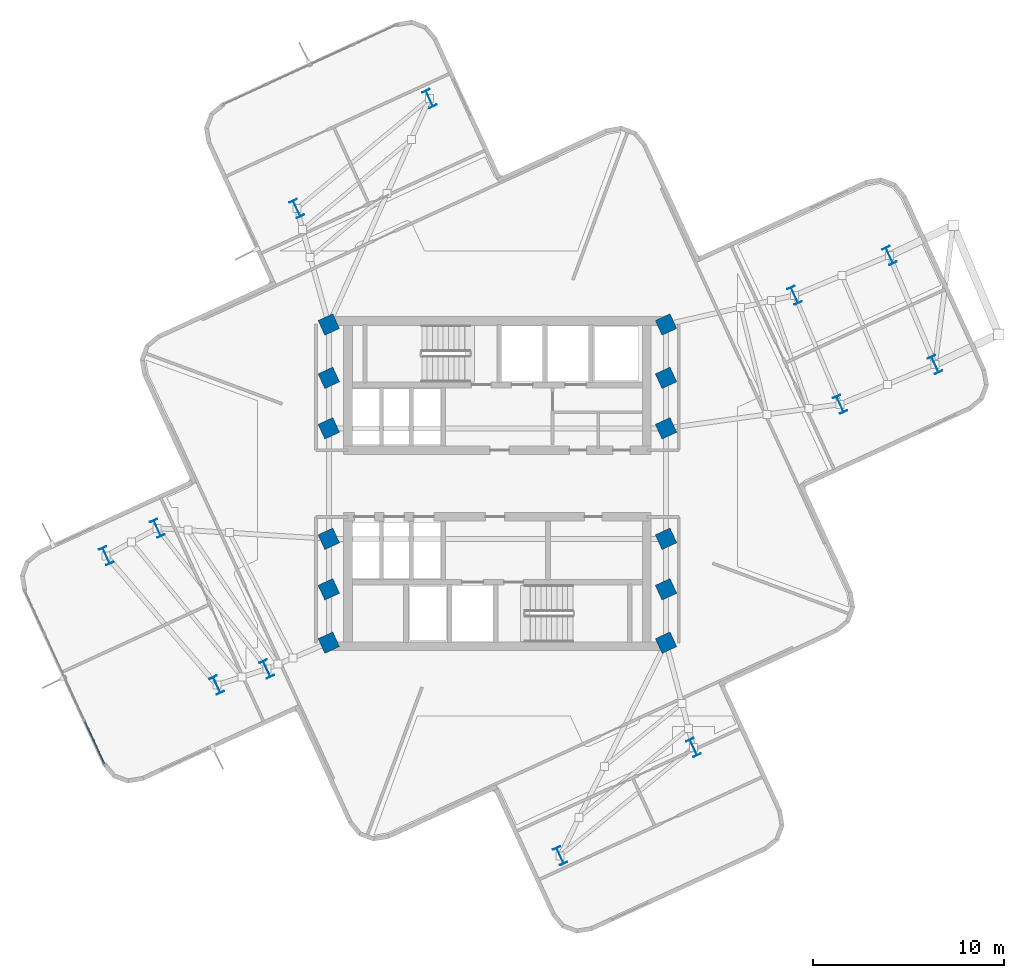
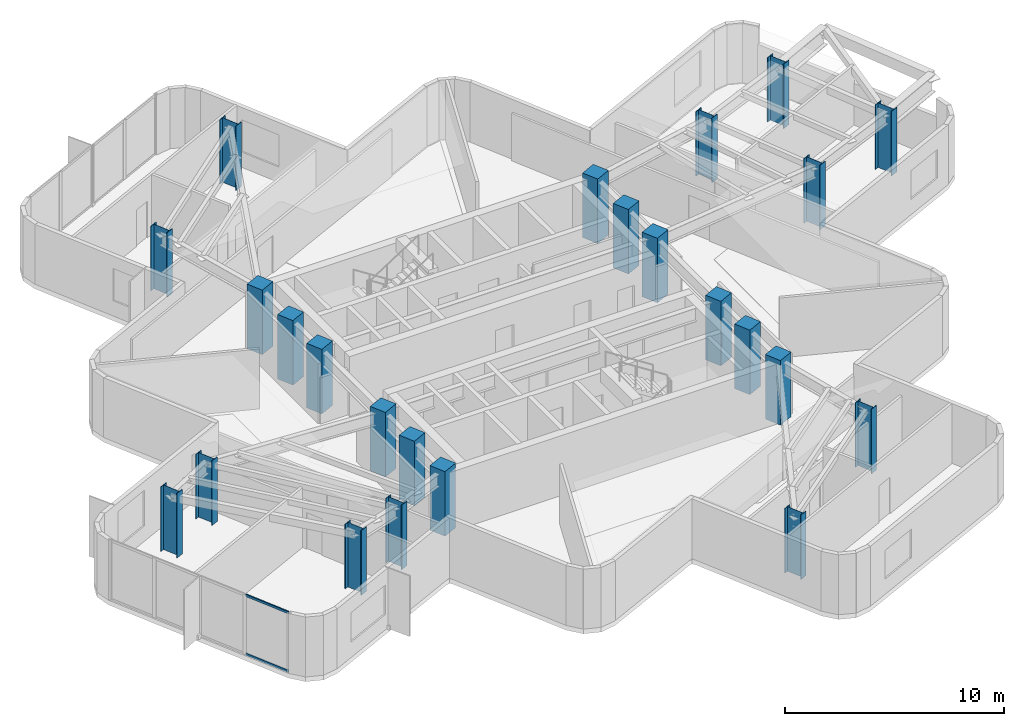
# One storey, part 1 of 11: 24 columns, 2 members, 1 element without a shape of its own.
"""IFC4 building model written with IfcOpenShell, lengths in metres."""

from ifc_helpers import new_model, si_unit, direction, frame, origin, origin_2d, place, context, subcontext, project, spatial, rectangle, i_section, extrude, material, layer, layer_set, material_profile, profile_set, type_object, element, aggregate, save


model = new_model("IFC4")

# Units and contexts
model_context = context("Model", 3, precision=1e-05, world=origin(), true_north=direction((0.0, 1.0)))
body_context = subcontext(model_context, "Body", "Model", "MODEL_VIEW")
ifc_project = project(units=[si_unit("LENGTHUNIT", "METRE"), si_unit("AREAUNIT", "SQUARE_METRE"), si_unit("VOLUMEUNIT", "CUBIC_METRE"), si_unit("PLANEANGLEUNIT", "RADIAN"), si_unit("MASSUNIT", "GRAM", prefix="KILO")], contexts=[model_context])

# Site, building, storey
site_placement = place(None, origin())
site = spatial("IfcSite", under=ifc_project, at=site_placement, CompositionType="ELEMENT")
building_placement = place(site_placement, origin())
building = spatial("IfcBuilding", under=site, at=building_placement, Name="Solmarez Civic Tower", CompositionType="ELEMENT")
storey_placement = place(building_placement, frame((0.0, 0.0, 184.679931640625)))
storey = spatial("IfcBuildingStorey", under=building, at=storey_placement, Name="L49", CompositionType="ELEMENT", Elevation=184.679931640625)

# Columns
ifc_material_1 = material(Name="Concrete C50/60", Category="concrete")
ifc_material_profile_1 = material_profile(ifc_material_1, rectangle(XDim=0.85009765625, YDim=0.85009765625, at=origin_2d()), Name="RC850X850")
ifc_profile_set_1 = profile_set([ifc_material_profile_1], Name="Concrete C50/60")
column_type_1 = type_object("IfcColumnType", Name="COL-RC850", PredefinedType="COLUMN", material=ifc_profile_set_1)
for number, where, z_axis, x_axis, name in (
    (1, (-8.85009765625, -5.550048828125, 0.0), (0.0, 0.0, 1.0), (0.9086539853, 0.41754991917, 0.0), "L49 Structural Column HC1"),
    (2, (-8.85009765625, -2.89990234375, 0.0), (0.0, 0.0, 1.0), (0.9086539853, 0.41754991917, 0.0), "L49 Structural Column HC2"),
    (3, (-8.85009765625, 2.89990234375, 0.0), (0.0, 0.0, 1.0), (0.9086539853, 0.41754991917, 0.0), "L49 Structural Column HC3"),
    (4, (-8.85009765625, 5.550048828125, 0.0), (0.0, 0.0, 1.0), (0.9086539853, 0.41754991917, 0.0), "L49 Structural Column HC4"),
    (5, (8.85009765625, -5.550048828125, 0.0), (0.0, 0.0, 1.0), (0.9086539853, 0.41754991917, 0.0), "L49 Structural Column HC5"),
    (6, (8.85009765625, -2.89990234375, 0.0), (0.0, 0.0, 1.0), (0.9086539853, 0.41754991917, 0.0), "L49 Structural Column HC6"),
    (7, (8.85009765625, 2.89990234375, 0.0), (0.0, 0.0, 1.0), (0.9086539853, 0.41754991917, 0.0), "L49 Structural Column HC7"),
    (8, (8.85009765625, 5.550048828125, 0.0), (0.0, 0.0, 1.0), (0.9086539853, 0.41754991917, 0.0), "L49 Structural Column HC8"),
    (9, (-8.85009765625, 8.35009765625, 0.0), (0.0, 0.0, 1.0), (0.9086539853, 0.41754991917, 0.0), "L49 Structural Column HC9"),
    (10, (8.85009765625, -8.35009765625, 0.0), (0.0, 0.0, 1.0), (0.9086539853, 0.41754991917, 0.0), "L49 Structural Column HC10"),
    (11, (8.85009765625, 8.35009765625, 0.0), (0.0, 0.0, 1.0), (0.9086539853, 0.41754991917, 0.0), "L49 Structural Column HC11"),
    (12, (-8.85009765625, -8.35009765625, 0.0), (0.0, 0.0, 1.0), (0.9086539853, 0.41754991917, 0.0), "L49 Structural Column HC12"),
):
    element("IfcColumn", number, at=place(storey_placement, frame(where, z_axis=z_axis, x_axis=x_axis)), inside=storey, type_object=column_type_1, Name=name, PredefinedType="COLUMN", context=body_context, shape_type="SweptSolid", body=[
        extrude(rectangle(XDim=0.85009765625, YDim=0.85009765625, at=origin_2d()), origin(), (0.0, 0.0, 1.0), 3.60009765625),
    ])
ifc_material_2 = material(Name="Steel S355", Category="steel")
ifc_material_profile_2 = material_profile(ifc_material_2, i_section(OverallWidth=0.41796875, OverallDepth=0.927001953125, WebThickness=0.019287109375, FlangeThickness=0.031982421875, at=origin_2d()), Name="W36X231")
ifc_profile_set_2 = profile_set([ifc_material_profile_2], Name="Steel S355")
column_type_2 = type_object("IfcColumnType", Name="COL-W36X231", PredefinedType="COLUMN", material=ifc_profile_set_2)
for number, where, z_axis, x_axis, name in (
    (13, (17.987060546875, 4.1640625, 0.0), (0.0, 0.0, 1.0), (0.9086539853, 0.41754991917, 0.0), "L49 Structural Column EA11"),
    (14, (15.593994140625, 9.883056640625, 0.0), (0.0, 0.0, 1.0), (0.9086539853, 0.41754991917, 0.0), "L49 Structural Column EA12"),
    (15, (22.968017578125, 6.248046875, 0.0), (0.0, 0.0, 1.0), (0.9086539853, 0.41754991917, 0.0), "L49 Structural Column EA21"),
    (16, (20.575927734375, 11.967041015625, 0.0), (0.0, 0.0, 1.0), (0.9086539853, 0.41754991917, 0.0), "L49 Structural Column EA22"),
    (17, (-3.570068359375, 20.20703125, 0.0), (0.0, 0.0, 1.0), (0.9086539853, 0.41754991917, 0.0), "L49 Structural Column NA11"),
    (18, (-10.532958984375, 14.43310546875, 0.0), (0.0, 0.0, 1.0), (0.9086539853, 0.41754991917, 0.0), "L49 Structural Column NA12"),
    (19, (-17.85791015625, -2.345947265625, 0.0), (0.0, 0.0, 1.0), (0.9086539853, 0.41754991917, 0.0), "L49 Structural Column WA11"),
    (20, (-12.10595703125, -9.73095703125, 0.0), (0.0, 0.0, 1.0), (0.9086539853, 0.41754991917, 0.0), "L49 Structural Column WA12"),
    (21, (-20.534912109375, -3.7880859375, 0.0), (0.0, 0.0, 1.0), (0.9086539853, 0.41754991917, 0.0), "L49 Structural Column WA21"),
    (22, (-14.73095703125, -10.572998046875, 0.0), (0.0, 0.0, 1.0), (0.9086539853, 0.41754991917, 0.0), "L49 Structural Column WA22"),
    (23, (3.2900390625, -19.535888671875, 0.0), (0.0, 0.0, 1.0), (0.9086539853, 0.41754991917, 0.0), "L49 Structural Column SA11"),
    (24, (10.2900390625, -13.85009765625, 0.0), (0.0, 0.0, 1.0), (0.9086539853, 0.41754991917, 0.0), "L49 Structural Column SA12"),
):
    element("IfcColumn", number, at=place(storey_placement, frame(where, z_axis=z_axis, x_axis=x_axis)), inside=storey, type_object=column_type_2, Name=name, PredefinedType="COLUMN", context=body_context, shape_type="SweptSolid", body=[
        extrude(i_section(OverallWidth=0.41796875, OverallDepth=0.927001953125, WebThickness=0.019287109375, FlangeThickness=0.031982421875, at=origin_2d()), origin(), (0.0, 0.0, 1.0), 3.60009765625),
    ])

# Curtain wall, members
ifc_material_3 = material(Name="Bronze Anodised Aluminium EN AW-6063 T6", Category="aluminium")
ifc_layer = layer(ifc_material_3, 0.2099609375)
ifc_layer_set = layer_set([ifc_layer], Name="Bronze Anodised Aluminium EN AW-6063 T6")
curtain_wall_type = type_object("IfcCurtainWallType", Name="CW-SYS-5", PredefinedType="NOTDEFINED", material=ifc_layer_set)
curtain_wall_placement = place(storey_placement, origin())
curtain_wall = element("IfcCurtainWall", 25, at=curtain_wall_placement, inside=storey, type_object=curtain_wall_type, Name="L49 Stick-Built Curtain Wall 1", PredefinedType="NOTDEFINED")
ifc_material_profile_3 = material_profile(ifc_material_3, rectangle(XDim=0.06494140625, YDim=0.125, at=origin_2d()), Name="CWT-65X125")
ifc_profile_set_3 = profile_set([ifc_material_profile_3], Name="Bronze Anodised Aluminium EN AW-6063 T6")
member_type = type_object("IfcMemberType", Name="CWT-TYPE-2", PredefinedType="USERDEFINED", material=ifc_profile_set_3)
member_1_placement = place(storey_placement, frame((-20.639404296875, -14.69580078125, 0.032470703125), z_axis=(-0.417421132012, 0.908713155264, 0.0), x_axis=(-0.908713155264, -0.417421132012, 0.0)))
member_1 = element("IfcMember", 26, at=member_1_placement, type_object=member_type, Name="CWS5 transom 1.1", ObjectType="TRANSOM", PredefinedType="USERDEFINED", context=body_context, shape_type="SweptSolid", body=[
    extrude(rectangle(XDim=0.06494140625, YDim=0.125, at=origin_2d()), origin(), (0.0, 0.0, 1.0), 2.41259765625),
])
member_2_placement = place(storey_placement, frame((-20.639404296875, -14.69580078125, 3.3076171875), z_axis=(-0.417421132012, 0.908713155264, 0.0), x_axis=(-0.908713155264, -0.417421132012, 0.0)))
member_2 = element("IfcMember", 27, at=member_2_placement, type_object=member_type, Name="CWS5 transom 1.2", ObjectType="TRANSOM", PredefinedType="USERDEFINED", context=body_context, shape_type="SweptSolid", body=[
    extrude(rectangle(XDim=0.06494140625, YDim=0.125, at=origin_2d()), origin(), (0.0, 0.0, 1.0), 2.41259765625),
])
aggregate(curtain_wall, [member_1, member_2])

save(model, "model.ifc")
